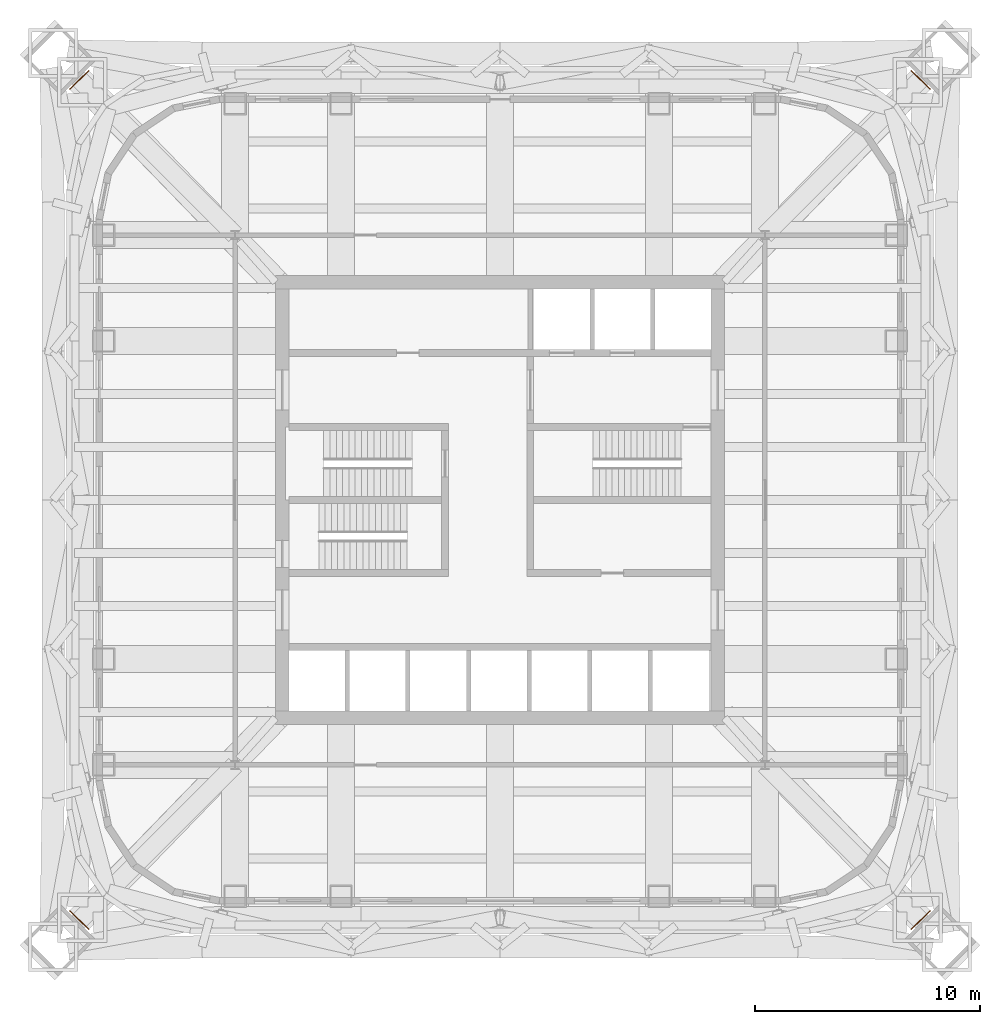
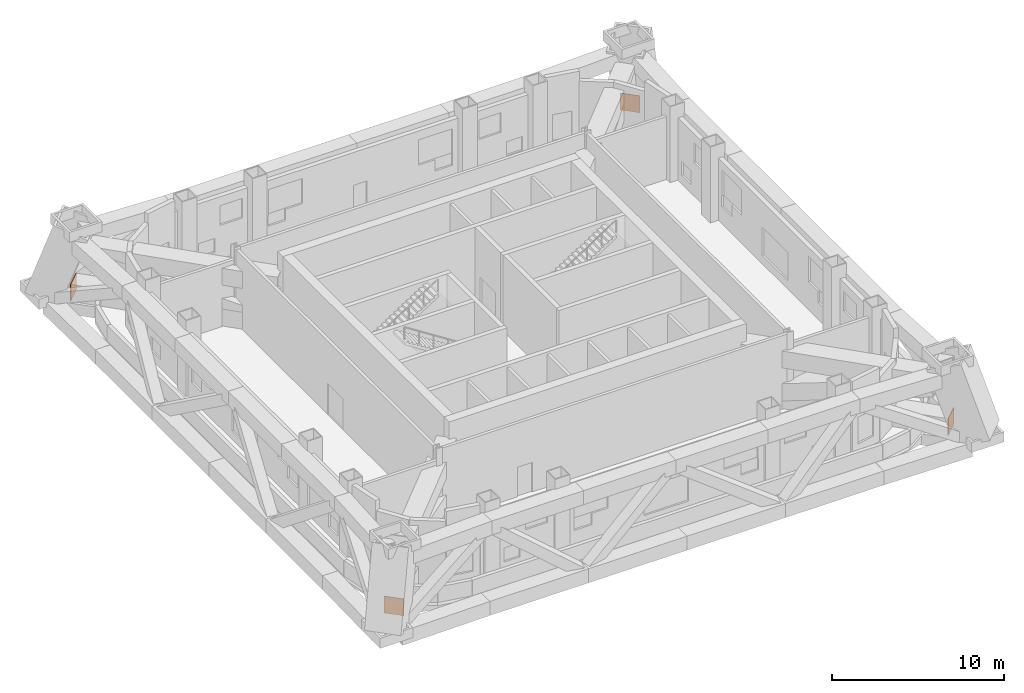
# One storey, part 9 of 9: 4 proxies.
"""IFC4 building model written with IfcOpenShell, lengths in metres."""

from ifc_helpers import new_model, si_unit, direction, frame, origin, origin_2d, place, context, subcontext, project, spatial, rectangle, extrude, material, layer, layer_set, type_object, element, save


model = new_model("IFC4")

# Units and contexts
model_context = context("Model", 3, precision=1e-05, world=origin(), true_north=direction((0.0, 1.0)))
body_context = subcontext(model_context, "Body", "Model", "MODEL_VIEW")
ifc_project = project(units=[si_unit("LENGTHUNIT", "METRE"), si_unit("AREAUNIT", "SQUARE_METRE"), si_unit("VOLUMEUNIT", "CUBIC_METRE"), si_unit("PLANEANGLEUNIT", "RADIAN"), si_unit("MASSUNIT", "GRAM", prefix="KILO")], contexts=[model_context])

# Site, building, storey
site_placement = place(None, origin())
site = spatial("IfcSite", under=ifc_project, at=site_placement, CompositionType="ELEMENT")
building_placement = place(site_placement, origin())
building = spatial("IfcBuilding", under=site, at=building_placement, Name="Turquesa Mirador Hotel Tower", CompositionType="ELEMENT")
storey_placement = place(building_placement, frame((0.0, 0.0, 221.300048828125)))
storey = spatial("IfcBuildingStorey", under=building, at=storey_placement, Name="L60", CompositionType="ELEMENT", Elevation=221.300048828125)

# Proxies
ifc_material = material(Name="Steel ASTM A572 Grade 50", Category="steel")
ifc_layer = layer(ifc_material, 0.0400390625)
ifc_layer_set = layer_set([ifc_layer], Name="END PLATE ON OUTRIGGER CHORD 1200X1200X40")
building_element_proxy_type = type_object("IfcBuildingElementProxyType", Name="END PLATE ON OUTRIGGER CHORD 1200X1200X40", PredefinedType="USERDEFINED", material=ifc_layer_set)
for number, where, z_axis, x_axis, name in (
    (1, (73.73876953125, 63.707763671875, 0.0498046875), (0.0, 0.0, 1.0), (0.696305998713, 0.717745049552, 0.0), "Outrigger bottom chord 1 end plate"),
    (2, (36.26123046875, 63.707763671875, 0.0498046875), (0.0, 0.0, 1.0), (-0.696305998713, 0.717745049552, 0.0), "Outrigger bottom chord 2 end plate"),
    (3, (36.26123046875, 26.292236328125, 0.0498046875), (0.0, 0.0, 1.0), (-0.696305998713, -0.717745049552, 0.0), "Outrigger bottom chord 3 end plate"),
    (4, (73.73876953125, 26.292236328125, 0.0498046875), (0.0, 0.0, 1.0), (0.696305998713, -0.717745049552, 0.0), "Outrigger bottom chord 4 end plate"),
):
    element("IfcBuildingElementProxy", number, at=place(storey_placement, frame(where, z_axis=z_axis, x_axis=x_axis)), inside=storey, type_object=building_element_proxy_type, Name=name, ObjectType="END PLATE", PredefinedType="USERDEFINED", context=body_context, shape_type="SweptSolid", body=[
        extrude(rectangle(XDim=0.0400390625, YDim=1.199951171875, at=origin_2d()), origin(), (0.0, 0.0, 1.0), 1.199951171875),
    ])

save(model, "model.ifc")
